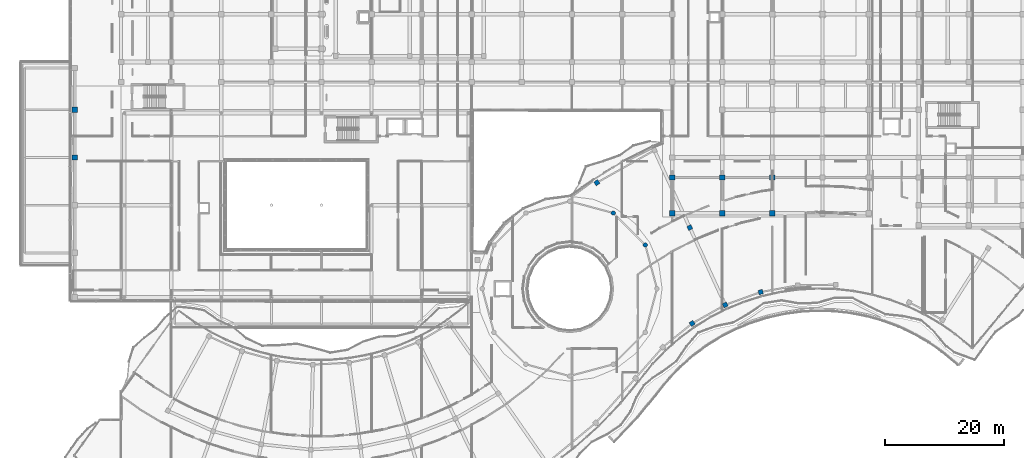
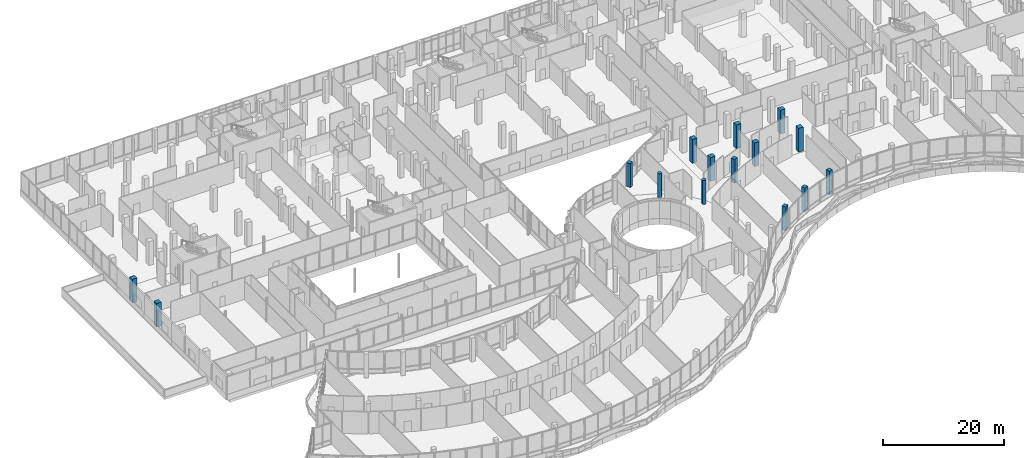
# One storey, part 6 of 168: 15 columns.
"""IFC4 building model written with IfcOpenShell, lengths in metres."""

from ifc_helpers import new_model, si_unit, direction, frame, origin, origin_2d, place, context, subcontext, project, spatial, rectangle, circle, extrude, material, material_profile, profile_set, type_object, element, save


model = new_model("IFC4")

# Units and contexts
model_context = context("Model", 3, precision=1e-05, world=origin(), true_north=direction((0.0, 1.0)))
body_context = subcontext(model_context, "Body", "Model", "MODEL_VIEW")
ifc_project = project(units=[si_unit("LENGTHUNIT", "METRE"), si_unit("AREAUNIT", "SQUARE_METRE"), si_unit("VOLUMEUNIT", "CUBIC_METRE"), si_unit("PLANEANGLEUNIT", "RADIAN"), si_unit("MASSUNIT", "GRAM", prefix="KILO")], contexts=[model_context])

# Site, building, storey
site_placement = place(None, origin())
site = spatial("IfcSite", under=ifc_project, at=site_placement, CompositionType="ELEMENT")
building_placement = place(site_placement, origin())
building = spatial("IfcBuilding", under=site, at=building_placement, Name="Selatvlak General Hospital", CompositionType="ELEMENT")
storey_placement = place(building_placement, frame((0.0, 0.0, 5.39990234375)))
storey = spatial("IfcBuildingStorey", under=building, at=storey_placement, Name="L01", CompositionType="ELEMENT", Elevation=5.39990234375)

# Columns
ifc_material = material(Name="Concrete C50/60", Category="concrete")
ifc_material_profile_1 = material_profile(ifc_material, rectangle(XDim=0.75, YDim=0.75, at=origin_2d()), Name="RC-COL 750x750")
ifc_profile_set_1 = profile_set([ifc_material_profile_1], Name="Concrete C50/60")
column_type_1 = type_object("IfcColumnType", Name="COL-RC75", PredefinedType="COLUMN", material=ifc_profile_set_1)
for number, where, z_axis, x_axis, name in (
    (1, (102.572998046875, 71.77001953125, 0.0), (0.0, 0.0, 1.0), (-0.560725705765, 0.828001620104, 0.0), "Column 340 on L01"),
    (2, (118.552978515625, 48.172119140625, 0.0), (0.0, 0.0, 1.0), (-0.560725705765, 0.828001620104, 0.0), "Column 341 on L01"),
    (3, (118.153076171875, 64.238037109375, 0.0), (0.0, 0.0, 1.0), (-0.416201444857, 0.909272432937, 0.0), "Column 343 on L01"),
    (4, (124.083984375, 51.281005859375, 0.0), (0.0, 0.0, 1.0), (-0.416201444857, 0.909272432937, 0.0), "Column 344 on L01"),
    (5, (130.049072265625, 53.43310546875, 0.0), (0.0, 0.0, 1.0), (-0.260066364254, 0.965590744666, 0.0), "Column 345 on L01"),
):
    element("IfcColumn", number, at=place(storey_placement, frame(where, z_axis=z_axis, x_axis=x_axis)), inside=storey, type_object=column_type_1, Name=name, PredefinedType="COLUMN", context=body_context, shape_type="SweptSolid", body=[
        extrude(rectangle(XDim=0.75, YDim=0.75, at=origin_2d()), origin(), (0.0, 0.0, 1.0), 4.800048828125),
    ])
ifc_material_profile_2 = material_profile(ifc_material, rectangle(XDim=0.89990234375, YDim=0.89990234375, at=origin_2d()), Name="RC-COL 900x900")
ifc_profile_set_2 = profile_set([ifc_material_profile_2], Name="Concrete C50/60")
column_type_2 = type_object("IfcColumnType", Name="COL-RC90", PredefinedType="COLUMN", material=ifc_profile_set_2)
for number, where, z_axis, x_axis, name in (
    (6, (15.050048828125, 76.0, 0.0), (0.0, 0.0, 1.0), (1.0, 0.0, 0.0), "Column 066 on L01"),
    (7, (15.050048828125, 84.0, 0.0), (0.0, 0.0, 1.0), (1.0, 0.0, 0.0), "Column 068 on L01"),
    (8, (115.199951171875, 66.64990234375, 0.0), (0.0, 0.0, 1.0), (1.0, 0.0, 0.0), "Column 229 on L01"),
    (9, (115.199951171875, 72.64990234375, 0.0), (0.0, 0.0, 1.0), (1.0, 0.0, 0.0), "Column 230 on L01"),
    (10, (123.60009765625, 66.64990234375, 0.0), (0.0, 0.0, 1.0), (1.0, 0.0, 0.0), "Column 236 on L01"),
    (11, (123.60009765625, 72.64990234375, 0.0), (0.0, 0.0, 1.0), (1.0, 0.0, 0.0), "Column 237 on L01"),
    (12, (132.0, 66.64990234375, 0.0), (0.0, 0.0, 1.0), (1.0, 0.0, 0.0), "Column 246 on L01"),
    (13, (132.0, 72.64990234375, 0.0), (0.0, 0.0, 1.0), (1.0, 0.0, 0.0), "Column 247 on L01"),
):
    element("IfcColumn", number, at=place(storey_placement, frame(where, z_axis=z_axis, x_axis=x_axis)), inside=storey, type_object=column_type_2, Name=name, PredefinedType="COLUMN", context=body_context, shape_type="SweptSolid", body=[
        extrude(rectangle(XDim=0.89990234375, YDim=0.89990234375, at=origin_2d()), origin(), (0.0, 0.0, 1.0), 4.800048828125),
    ])
ifc_material_profile_3 = material_profile(ifc_material, circle(Radius=0.375, at=origin_2d()), Name="RC-COL D750")
ifc_profile_set_3 = profile_set([ifc_material_profile_3], Name="Concrete C50/60")
column_type_3 = type_object("IfcColumnType", Name="COL-RCD75", PredefinedType="COLUMN", material=ifc_profile_set_3)
for number, where, z_axis, x_axis, name in (
    (14, (110.68701171875, 61.324951171875, 0.0), (0.0, 0.0, 1.0), (0.866025403784, 0.5, 0.0), "Column 026 on L01"),
    (15, (105.324951171875, 66.68701171875, 0.0), (0.0, 0.0, 1.0), (0.5, 0.866025403784, 0.0), "Column 027 on L01"),
):
    element("IfcColumn", number, at=place(storey_placement, frame(where, z_axis=z_axis, x_axis=x_axis)), inside=storey, type_object=column_type_3, Name=name, PredefinedType="COLUMN", context=body_context, shape_type="SweptSolid", body=[
        extrude(circle(Radius=0.375, at=origin_2d()), origin(), (0.0, 0.0, 1.0), 4.800048828125),
    ])

save(model, "model.ifc")
